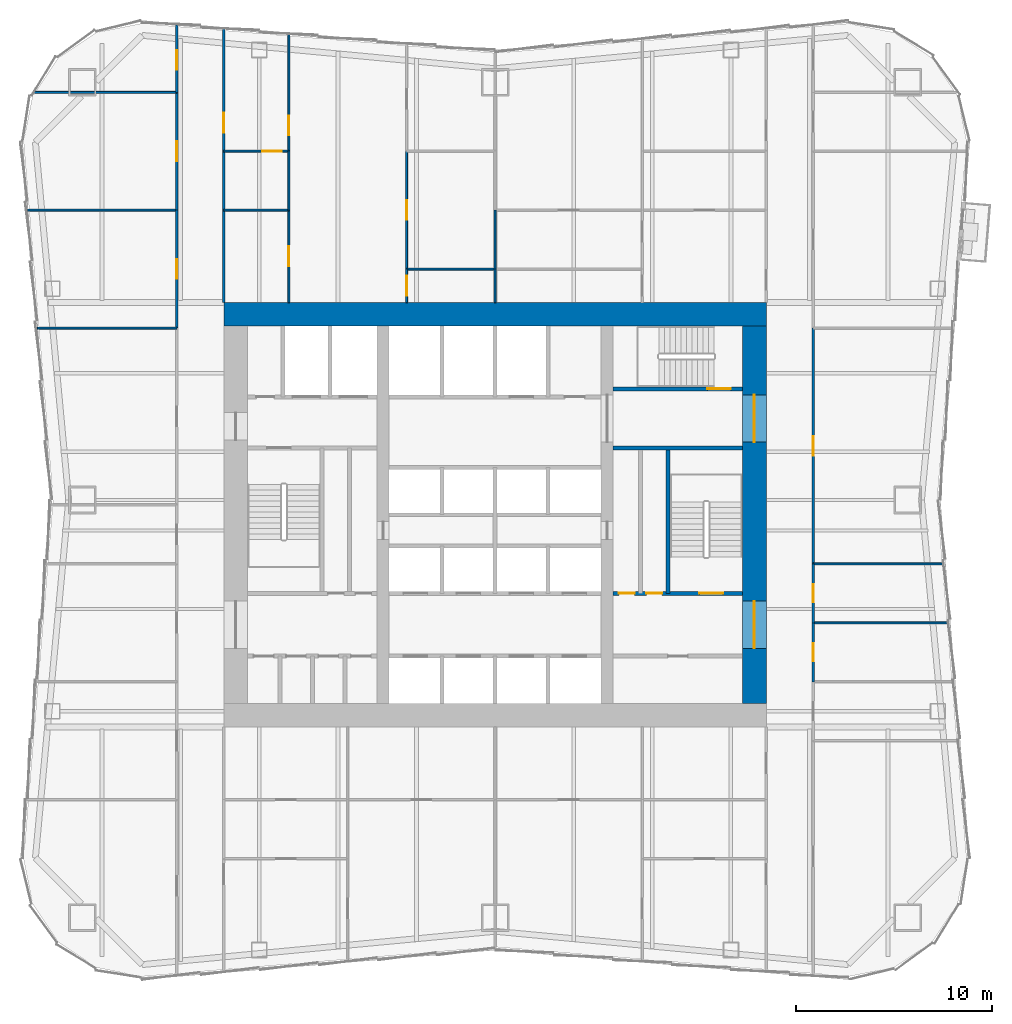
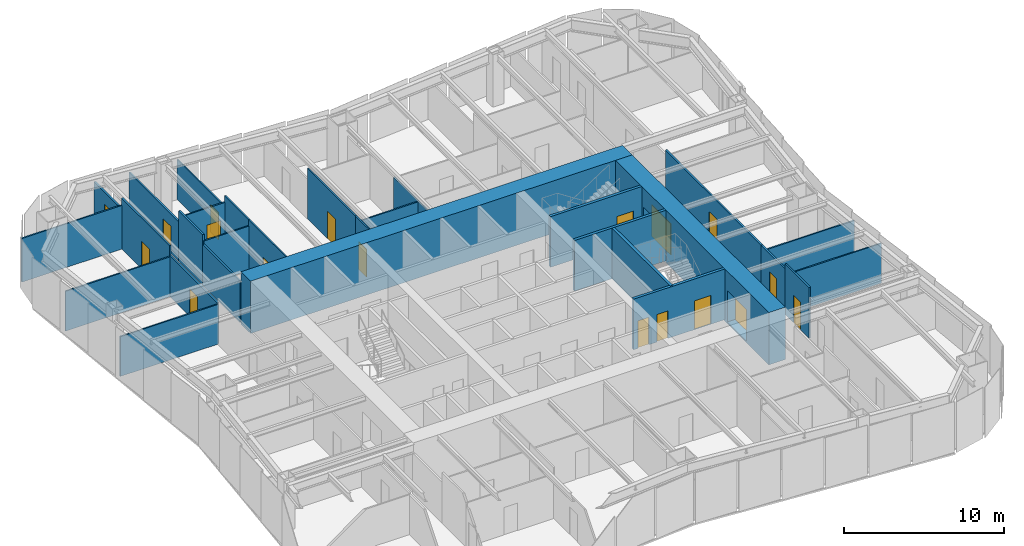
# One storey, part 6 of 9: 30 walls, 18 doors, 18 openings.
"""IFC4 building model written with IfcOpenShell, lengths in metres."""

import ifcopenshell
import ifcopenshell.guid

model = None  # the IFC model being written
_history = None  # IfcOwnerHistory: only IFC2X3 demands one
_inside = {}  # id of a spatial element -> (the spatial element, [elements in it])
_under = {}  # id of a project, library or spatial element -> (it, [spatial elements below it])
_declared = {}  # id of a project -> (the project, [libraries it declares])
_typed = {}  # id of a type object -> (the type object, [elements of that type])
_made_of = {}  # id of a material, layer set ... -> (it, [elements and type objects made of it])


def new_model(schema):
    """Start an empty IFC model of exactly this schema.

    Asked for "IFC4X3", IfcOpenShell would pick the latest addendum, in which some entities
    have other attributes; the version numbers below select the first issue.
    IFC2X3 requires an IfcOwnerHistory on every rooted entity: one is made here for all.
    """
    global model, _history
    if schema == "IFC4X3":
        model = ifcopenshell.file(schema_version=(4, 3, 0, 0))
    else:
        model = ifcopenshell.file(schema=schema)
    _inside.clear()
    _under.clear()
    _declared.clear()
    _typed.clear()
    _made_of.clear()
    _history = None
    if model.schema == "IFC2X3":
        org = make("IfcOrganization", Name="unknown")
        user = make(
            "IfcPersonAndOrganization",
            ThePerson=make("IfcPerson", FamilyName="unknown"),
            TheOrganization=org,
        )
        app = make(
            "IfcApplication",
            ApplicationDeveloper=org,
            Version="unknown",
            ApplicationFullName="unknown",
            ApplicationIdentifier="unknown",
        )
        _history = make(
            "IfcOwnerHistory",
            OwningUser=user,
            OwningApplication=app,
            ChangeAction="ADDED",
            CreationDate=0,
        )
    return model


def make(cls, **values):
    """One entity of the class cls with the attributes given. An attribute that is None is left unset."""
    return model.create_entity(
        cls, **{name: value for name, value in values.items() if value is not None}
    )


def rooted(cls, **values):
    """An entity with a GlobalId (a new one), such as an element, a storey or a relation."""
    return make(cls, GlobalId=ifcopenshell.guid.new(), OwnerHistory=_history, **values)


def si_unit(unit_type, name, prefix=None):
    """IfcSIUnit, for example si_unit("LENGTHUNIT", "METRE", prefix="MILLI")."""
    return make("IfcSIUnit", UnitType=unit_type, Prefix=prefix, Name=name)


def assignment(units):
    """IfcUnitAssignment: the units of a project."""
    return None if units is None else make("IfcUnitAssignment", Units=units)


def point(xyz):
    """IfcCartesianPoint."""
    return None if xyz is None else make("IfcCartesianPoint", Coordinates=xyz)


def direction(xyz):
    """IfcDirection."""
    return None if xyz is None else make("IfcDirection", DirectionRatios=xyz)


def frame(location, z_axis=None, x_axis=None):
    """IfcAxis2Placement3D, a coordinate frame: its origin and axes. An axis left out is left unset."""
    return make(
        "IfcAxis2Placement3D",
        Location=point(location),
        Axis=direction(z_axis),
        RefDirection=direction(x_axis),
    )


def frame_2d(location, x_axis=None):
    """IfcAxis2Placement2D, a coordinate frame in the plane: its origin and x axis."""
    return make(
        "IfcAxis2Placement2D", Location=point(location), RefDirection=direction(x_axis)
    )


def origin():
    """The frame at (0, 0, 0) with its axes left unset."""
    return frame((0.0, 0.0, 0.0))


def place(relative_to, where):
    """IfcLocalPlacement: puts the frame where relative to a parent placement (None: the world)."""
    return make(
        "IfcLocalPlacement", PlacementRelTo=relative_to, RelativePlacement=where
    )


def context(
    kind, dimensions, precision=None, world=None, true_north=None, identifier=None
):
    """IfcGeometricRepresentationContext, for example the 3D "Model" context."""
    return make(
        "IfcGeometricRepresentationContext",
        ContextIdentifier=identifier,
        ContextType=kind,
        CoordinateSpaceDimension=dimensions,
        Precision=precision,
        WorldCoordinateSystem=world,
        TrueNorth=true_north,
    )


def subcontext(parent, identifier, kind, view, scale=None):
    """IfcGeometricRepresentationSubContext, for example "Body" below "Model"."""
    return make(
        "IfcGeometricRepresentationSubContext",
        ContextIdentifier=identifier,
        ContextType=kind,
        ParentContext=parent,
        TargetScale=scale,
        TargetView=view,
    )


def project(units=None, contexts=None):
    """IfcProject with its units and contexts."""
    return rooted(
        "IfcProject",
        Name="project",
        RepresentationContexts=contexts,
        UnitsInContext=assignment(units),
    )


def spatial(cls, under=None, at=None, **own):
    """A site, building, storey or space (cls), placed at a placement, below another one or the project."""
    s = rooted(cls, ObjectPlacement=at, **own)
    if under is not None:
        _under.setdefault(under.id(), (under, []))[1].append(s)
    return s


def profile(cls, at=None, kind="AREA", **sizes):
    """A parametric profile (cls). Its sizes go by their IFC names, for example OverallWidth=200.0."""
    return make(cls, ProfileType=kind, Position=at, **sizes)


def rectangle(**sizes):
    """IfcRectangleProfileDef."""
    return profile("IfcRectangleProfileDef", **sizes)


def extrude(swept, where, along, depth):
    """IfcExtrudedAreaSolid: the profile swept, set in the frame where, extruded along a direction by depth."""
    return make(
        "IfcExtrudedAreaSolid",
        SweptArea=swept,
        Position=where,
        ExtrudedDirection=direction(along),
        Depth=depth,
    )


def shape(context_of_items, identifier, shape_type, items):
    """IfcShapeRepresentation: the items that make up one representation, for example the "Body"."""
    return make(
        "IfcShapeRepresentation",
        ContextOfItems=context_of_items,
        RepresentationIdentifier=identifier,
        RepresentationType=shape_type,
        Items=items,
    )


def material(Name=None, Category=None):
    """IfcMaterial."""
    return make("IfcMaterial", Name=Name, Category=Category)


def layer(
    of_material, thickness, ventilated=None, Name=None, Category=None, Priority=None
):
    """IfcMaterialLayer: one layer of a wall or slab, of a material (None: an air gap)."""
    return make(
        "IfcMaterialLayer",
        Material=of_material,
        LayerThickness=thickness,
        IsVentilated=ventilated,
        Name=Name,
        Category=Category,
        Priority=Priority,
    )


def layer_set(layers, Name=None):
    """IfcMaterialLayerSet."""
    return make("IfcMaterialLayerSet", MaterialLayers=layers, LayerSetName=Name)


def made_of(thing, what):
    """Note that an element or type object is made of a material, layer set ...; save() writes the relation."""
    if what is not None:
        _made_of.setdefault(what.id(), (what, []))[1].append(thing)
    return thing


def type_object(cls, material=None, **own):
    """A type object (cls), such as IfcWallType, which elements share."""
    return made_of(rooted(cls, **own), material)


def element(
    cls,
    number,
    at=None,
    inside=None,
    cuts=None,
    type_object=None,
    material=None,
    context=None,
    identifier="Body",
    shape_type=None,
    held_by="IfcProductDefinitionShape",
    body=None,
    shapes=None,
    **own,
):
    """One element of the class cls, such as IfcWall. Its Tag is "e" and its number.

    at: its placement. inside: the storey or other place that contains it. cuts: it is an
    opening in that element (IfcRelVoidsElement). A single representation is given by context,
    identifier, shape_type and body (its items); several are given by shapes. held_by: the class
    of the entity that holds the representations. save() writes the other relations.
    """
    e = rooted(cls, Tag="e%d" % number, ObjectPlacement=at, **own)
    if body is not None:
        shapes = [shape(context, identifier, shape_type, body)]
    if shapes is not None:
        e.Representation = make(held_by, Representations=shapes)
    if inside is not None:
        _inside.setdefault(inside.id(), (inside, []))[1].append(e)
    if cuts is not None:
        rooted(
            "IfcRelVoidsElement", RelatingBuildingElement=cuts, RelatedOpeningElement=e
        )
    if type_object is not None:
        _typed.setdefault(type_object.id(), (type_object, []))[1].append(e)
    return made_of(e, material)


def fill(opening, filler):
    """IfcRelFillsElement: the door or window that sits in an opening."""
    return rooted(
        "IfcRelFillsElement",
        RelatingOpeningElement=opening,
        RelatedBuildingElement=filler,
    )


def aggregate(whole, parts):
    """IfcRelAggregates: a whole, such as a stair, and the parts it consists of."""
    return rooted("IfcRelAggregates", RelatingObject=whole, RelatedObjects=parts)


def save(model, path):
    """Write the relations noted so far, then the file.

    IfcRelAggregates (storeys below a building ...), IfcRelContainedInSpatialStructure (elements
    in a storey), IfcRelDefinesByType, IfcRelAssociatesMaterial and IfcRelDeclares: one each for
    every whole, place, type object, material and project.
    """
    for whole, parts in _under.values():
        aggregate(whole, parts)
    for where, things in _inside.values():
        rooted(
            "IfcRelContainedInSpatialStructure",
            RelatedElements=things,
            RelatingStructure=where,
        )
    for kind, things in _typed.values():
        rooted("IfcRelDefinesByType", RelatedObjects=things, RelatingType=kind)
    for what, things in _made_of.values():
        rooted("IfcRelAssociatesMaterial", RelatedObjects=things, RelatingMaterial=what)
    for by, libraries in _declared.values():
        rooted("IfcRelDeclares", RelatingContext=by, RelatedDefinitions=libraries)
    model.write(path)


model = new_model("IFC4")

# Units and contexts
model_context = context("Model", 3, precision=1e-05, world=origin(), true_north=direction((0.0, 1.0)))
body_context = subcontext(model_context, "Body", "Model", "MODEL_VIEW")
ifc_project = project(units=[si_unit("LENGTHUNIT", "METRE"), si_unit("AREAUNIT", "SQUARE_METRE"), si_unit("VOLUMEUNIT", "CUBIC_METRE"), si_unit("PLANEANGLEUNIT", "RADIAN"), si_unit("MASSUNIT", "GRAM", prefix="KILO")], contexts=[model_context])

# Site, building, storey
site_placement = place(None, origin())
site = spatial("IfcSite", under=ifc_project, at=site_placement, CompositionType="ELEMENT")
building_placement = place(site_placement, origin())
building = spatial("IfcBuilding", under=site, at=building_placement, Name="Verdant Reach Tower", CompositionType="ELEMENT")
storey_placement = place(building_placement, frame((0.0, 0.0, 74.0)))
storey = spatial("IfcBuildingStorey", under=building, at=storey_placement, Name="L16", CompositionType="ELEMENT", Elevation=74.0)

# Wall, openings, doors
ifc_material_1 = material(Name="Concrete C40/50", Category="concrete")
ifc_layer_1 = layer(ifc_material_1, 0.199951171875)
ifc_layer_set_1 = layer_set([ifc_layer_1], Name="CO-WALL-STAIR")
wall_type_1 = type_object("IfcWallType", Name="CO-WALL-STAIR", PredefinedType="PARTITIONING", material=ifc_layer_set_1)
wall_1_placement = place(storey_placement, frame((6.0, 24.0, 0.0), z_axis=(0.0, 0.0, 1.0), x_axis=(1.0, 0.0, 0.0)))
wall_1 = element("IfcWall", 1, at=wall_1_placement, inside=storey, type_object=wall_type_1, Name="Stair enclosure wall, L16", PredefinedType="PARTITIONING", context=body_context, shape_type="SweptSolid", body=[
    extrude(rectangle(XDim=6.60009765625, YDim=0.199951171875, at=frame_2d((3.300048828125, 0.0))), origin(), (0.0, 0.0, 1.0), 3.8701171875),
])
opening_1_placement = place(wall_1_placement, frame((0.300048828125, 0.0, 0.0)))
opening_1 = element("IfcOpeningElement", 2, at=opening_1_placement, cuts=wall_1, Name="Opening CDN", PredefinedType="OPENING", context=body_context, shape_type="SweptSolid", body=[
    extrude(rectangle(XDim=0.800048828125, YDim=2.10009765625, at=frame_2d((0.39990234375, 1.050048828125))), frame((0.0, 0.10986328125, 0.0), z_axis=(0.0, -1.0, 0.0), x_axis=(1.0, 0.0, 0.0)), (0.0, 0.0, 1.0), 0.219970703125),
])
opening_2_placement = place(wall_1_placement, frame((1.699951171875, 0.0, 0.0)))
opening_2 = element("IfcOpeningElement", 3, at=opening_2_placement, cuts=wall_1, Name="Opening CDN", PredefinedType="OPENING", context=body_context, shape_type="SweptSolid", body=[
    extrude(rectangle(XDim=0.800048828125, YDim=2.10009765625, at=frame_2d((0.39990234375, 1.050048828125))), frame((0.0, 0.10986328125, 0.0), z_axis=(0.0, -1.0, 0.0), x_axis=(1.0, 0.0, 0.0)), (0.0, 0.0, 1.0), 0.219970703125),
])
opening_3_placement = place(wall_1_placement, frame((4.39990234375, 0.0, 0.0)))
opening_3 = element("IfcOpeningElement", 4, at=opening_3_placement, cuts=wall_1, Name="Opening SD", PredefinedType="OPENING", context=body_context, shape_type="SweptSolid", body=[
    extrude(rectangle(XDim=1.199951171875, YDim=2.199951171875, at=frame_2d((0.60009765625, 1.10009765625))), frame((0.0, 0.10986328125, 0.0), z_axis=(0.0, -1.0, 0.0), x_axis=(1.0, 0.0, 0.0)), (0.0, 0.0, 1.0), 0.219970703125),
])
ifc_material_2 = material(Name="Timber", Category="wood")
door_type_1 = type_object("IfcDoorType", Name="CO-DOOR-ROOM-NARROW", OperationType="NOTDEFINED", PredefinedType="DOOR", material=ifc_material_2)
door_1_placement = place(opening_1_placement, origin())
door_1 = element("IfcDoor", 5, at=door_1_placement, inside=storey, type_object=door_type_1, Name="Core room door, L16", OperationType="SINGLE_SWING_RIGHT", OverallHeight=2.10009765625, OverallWidth=0.800048828125, PredefinedType="DOOR", context=body_context, shape_type="SweptSolid", body=[
    extrude(rectangle(XDim=0.800048828125, YDim=2.10009765625, at=frame_2d((0.39990234375, 1.050048828125))), frame((0.0, 0.02490234375, 0.0), z_axis=(0.0, -1.0, 0.0), x_axis=(1.0, 0.0, 0.0)), (0.0, 0.0, 1.0), 0.050048828125),
])
fill(opening_1, door_1)
door_2_placement = place(opening_2_placement, origin())
door_2 = element("IfcDoor", 6, at=door_2_placement, inside=storey, type_object=door_type_1, Name="Core room door, L16", OperationType="SINGLE_SWING_LEFT", OverallHeight=2.10009765625, OverallWidth=0.800048828125, PredefinedType="DOOR", context=body_context, shape_type="SweptSolid", body=[
    extrude(rectangle(XDim=0.800048828125, YDim=2.10009765625, at=frame_2d((0.39990234375, 1.050048828125))), frame((0.0, 0.02490234375, 0.0), z_axis=(0.0, -1.0, 0.0), x_axis=(1.0, 0.0, 0.0)), (0.0, 0.0, 1.0), 0.050048828125),
])
fill(opening_2, door_2)
ifc_material_3 = material(Name="Steel", Category="steel")
door_type_2 = type_object("IfcDoorType", Name="CO-DOOR-STAIR", OperationType="NOTDEFINED", PredefinedType="DOOR", material=ifc_material_3)
door_3_placement = place(opening_3_placement, origin())
door_3 = element("IfcDoor", 7, at=door_3_placement, inside=storey, type_object=door_type_2, Name="Stair door, L16", OperationType="SINGLE_SWING_LEFT", OverallHeight=2.199951171875, OverallWidth=1.199951171875, PredefinedType="DOOR", context=body_context, shape_type="SweptSolid", body=[
    extrude(rectangle(XDim=1.199951171875, YDim=2.199951171875, at=frame_2d((0.60009765625, 1.10009765625))), frame((0.0, 0.02490234375, 0.0), z_axis=(0.0, -1.0, 0.0), x_axis=(1.0, 0.0, 0.0)), (0.0, 0.0, 1.0), 0.050048828125),
])
fill(opening_3, door_3)

# Wall
wall_2_placement = place(storey_placement, frame((6.0, 31.39990234375, 0.0), z_axis=(0.0, 0.0, 1.0), x_axis=(1.0, 0.0, 0.0)))
element("IfcWall", 8, at=wall_2_placement, inside=storey, type_object=wall_type_1, Name="Stair enclosure wall, L16", PredefinedType="PARTITIONING", context=body_context, shape_type="SweptSolid", body=[
    extrude(rectangle(XDim=6.60009765625, YDim=0.199951171875, at=frame_2d((3.300048828125, 0.0))), origin(), (0.0, 0.0, 1.0), 3.8701171875),
])

# Wall, opening, door
wall_3_placement = place(storey_placement, frame((6.0, 34.39990234375, 0.0), z_axis=(0.0, 0.0, 1.0), x_axis=(1.0, 0.0, 0.0)))
wall_3 = element("IfcWall", 9, at=wall_3_placement, inside=storey, type_object=wall_type_1, Name="Stair enclosure wall, L16", PredefinedType="PARTITIONING", context=body_context, shape_type="SweptSolid", body=[
    extrude(rectangle(XDim=6.60009765625, YDim=0.199951171875, at=frame_2d((3.300048828125, 0.0))), origin(), (0.0, 0.0, 1.0), 3.8701171875),
])
opening_4_placement = place(wall_3_placement, frame((4.800048828125, 0.0, 0.0)))
opening_4 = element("IfcOpeningElement", 10, at=opening_4_placement, cuts=wall_3, Name="Opening SD", PredefinedType="OPENING", context=body_context, shape_type="SweptSolid", body=[
    extrude(rectangle(XDim=1.199951171875, YDim=2.199951171875, at=frame_2d((0.60009765625, 1.10009765625))), frame((0.0, 0.10986328125, 0.0), z_axis=(0.0, -1.0, 0.0), x_axis=(1.0, 0.0, 0.0)), (0.0, 0.0, 1.0), 0.219970703125),
])
door_4_placement = place(opening_4_placement, origin())
door_4 = element("IfcDoor", 11, at=door_4_placement, inside=storey, type_object=door_type_2, Name="Stair door, L16", OperationType="SINGLE_SWING_RIGHT", OverallHeight=2.199951171875, OverallWidth=1.199951171875, PredefinedType="DOOR", context=body_context, shape_type="SweptSolid", body=[
    extrude(rectangle(XDim=1.199951171875, YDim=2.199951171875, at=frame_2d((0.60009765625, 1.10009765625))), frame((0.0, 0.02490234375, 0.0), z_axis=(0.0, -1.0, 0.0), x_axis=(1.0, 0.0, 0.0)), (0.0, 0.0, 1.0), 0.050048828125),
])
fill(opening_4, door_4)

# Walls
wall_4_placement = place(storey_placement, frame((8.800048828125, 24.0, 0.0), z_axis=(0.0, 0.0, 1.0), x_axis=(0.0, 1.0, 0.0)))
element("IfcWall", 12, at=wall_4_placement, inside=storey, type_object=wall_type_1, Name="Stair enclosure wall, L16", PredefinedType="PARTITIONING", context=body_context, shape_type="SweptSolid", body=[
    extrude(rectangle(XDim=7.39990234375, YDim=0.199951171875, at=frame_2d((3.699951171875, 0.0))), origin(), (0.0, 0.0, 1.0), 3.8701171875),
])
ifc_material_4 = material(Name="Gypsum board on steel studs", Category="steel")
ifc_layer_2 = layer(ifc_material_4, 0.10009765625)
ifc_layer_set_2 = layer_set([ifc_layer_2], Name="FL-W1 Partition 100")
wall_type_2 = type_object("IfcWallType", Name="FL-W1 Partition 100", PredefinedType="PARTITIONING", material=ifc_layer_set_2)
wall_5_placement = place(storey_placement, frame((-16.199951171875, 37.5, 0.0), z_axis=(0.0, 0.0, 1.0), x_axis=(-1.0, 0.0, 0.0)))
element("IfcWall", 13, at=wall_5_placement, inside=storey, type_object=wall_type_2, Name="Partition 16.33", PredefinedType="PARTITIONING", context=body_context, shape_type="SweptSolid", body=[
    extrude(rectangle(XDim=7.099365234375, YDim=0.10009765625, at=frame_2d((3.5498046875, 0.0))), origin(), (0.0, 0.0, 1.0), 3.0400390625),
])
wall_6_placement = place(storey_placement, frame((-16.199951171875, 43.5, 0.0), z_axis=(0.0, 0.0, 1.0), x_axis=(-1.0, 0.0, 0.0)))
element("IfcWall", 14, at=wall_6_placement, inside=storey, type_object=wall_type_2, Name="Partition 16.34", PredefinedType="PARTITIONING", context=body_context, shape_type="SweptSolid", body=[
    extrude(rectangle(XDim=7.59228515625, YDim=0.10009765625, at=frame_2d((3.796142578125, 0.0))), origin(), (0.0, 0.0, 1.0), 3.0400390625),
])
wall_7_placement = place(storey_placement, frame((-16.199951171875, 49.5, 0.0), z_axis=(0.0, 0.0, 1.0), x_axis=(-1.0, 0.0, 0.0)))
element("IfcWall", 15, at=wall_7_placement, inside=storey, type_object=wall_type_2, Name="Partition 16.35", PredefinedType="PARTITIONING", context=body_context, shape_type="SweptSolid", body=[
    extrude(rectangle(XDim=7.287109375, YDim=0.10009765625, at=frame_2d((3.6435546875, 0.0))), origin(), (0.0, 0.0, 1.0), 3.340087890625),
])
wall_8_placement = place(storey_placement, frame((23.09375, 22.5, 0.0), z_axis=(0.0, 0.0, 1.0), x_axis=(-1.0, 0.0, 0.0)))
element("IfcWall", 16, at=wall_8_placement, inside=storey, type_object=wall_type_2, Name="Partition 16.38", PredefinedType="PARTITIONING", context=body_context, shape_type="SweptSolid", body=[
    extrude(rectangle(XDim=6.893798828125, YDim=0.10009765625, at=frame_2d((3.44677734375, 0.0))), origin(), (0.0, 0.0, 1.0), 3.0400390625),
])
wall_9_placement = place(storey_placement, frame((22.84716796875, 25.5, 0.0), z_axis=(0.0, 0.0, 1.0), x_axis=(-1.0, 0.0, 0.0)))
element("IfcWall", 17, at=wall_9_placement, inside=storey, type_object=wall_type_2, Name="Partition 16.39", PredefinedType="PARTITIONING", context=body_context, shape_type="SweptSolid", body=[
    extrude(rectangle(XDim=6.647216796875, YDim=0.10009765625, at=frame_2d((3.32373046875, 0.0))), origin(), (0.0, 0.0, 1.0), 3.0400390625),
])
wall_10_placement = place(storey_placement, frame((-10.5, 43.5, 0.0), z_axis=(0.0, 0.0, 1.0), x_axis=(-1.0, 0.0, 0.0)))
element("IfcWall", 18, at=wall_10_placement, inside=storey, type_object=wall_type_2, Name="Partition 16.57", PredefinedType="PARTITIONING", context=body_context, shape_type="SweptSolid", body=[
    extrude(rectangle(XDim=3.300048828125, YDim=0.10009765625, at=frame_2d((1.64990234375, 0.0))), origin(), (0.0, 0.0, 1.0), 3.389892578125),
])

# Wall, opening, door
wall_11_placement = place(storey_placement, frame((-10.5, 38.800048828125, 0.0), z_axis=(0.0, 0.0, 1.0), x_axis=(0.0, 1.0, 0.0)))
wall_11 = element("IfcWall", 19, at=wall_11_placement, inside=storey, type_object=wall_type_2, Name="Partition 16.58", PredefinedType="PARTITIONING", context=body_context, shape_type="SweptSolid", body=[
    extrude(rectangle(XDim=4.703857421875, YDim=0.10009765625, at=frame_2d((2.35205078125, 0.0))), origin(), (0.0, 0.0, 1.0), 3.8701171875),
])
opening_5_placement = place(wall_11_placement, frame((1.85205078125, 0.0, 0.0)))
opening_5 = element("IfcOpeningElement", 20, at=opening_5_placement, cuts=wall_11, Name="Opening D3", PredefinedType="OPENING", context=body_context, shape_type="SweptSolid", body=[
    extrude(rectangle(XDim=1.0, YDim=2.10009765625, at=frame_2d((0.5, 1.050048828125))), frame((0.0, 0.06005859375, 0.0), z_axis=(0.0, -1.0, 0.0), x_axis=(1.0, 0.0, 0.0)), (0.0, 0.0, 1.0), 0.1201171875),
])
ifc_material_5 = material(Name="Painted timber door leaf", Category="wood")
door_type_3 = type_object("IfcDoorType", Name="FL-D3 Door 1000x2100", OperationType="NOTDEFINED", PredefinedType="DOOR", material=ifc_material_5)
door_5_placement = place(opening_5_placement, origin())
door_5 = element("IfcDoor", 21, at=door_5_placement, inside=storey, type_object=door_type_3, Name="Door 16-030", OperationType="SINGLE_SWING_RIGHT", OverallHeight=2.10009765625, OverallWidth=1.0, PredefinedType="DOOR", context=body_context, shape_type="SweptSolid", body=[
    extrude(rectangle(XDim=1.0, YDim=2.10009765625, at=frame_2d((0.5, 1.050048828125))), frame((0.0, 0.02490234375, 0.0), z_axis=(0.0, -1.0, 0.0), x_axis=(1.0, 0.0, 0.0)), (0.0, 0.0, 1.0), 0.050048828125),
])
fill(opening_5, door_5)

wall_12_placement = place(storey_placement, frame((-10.5, 46.5, 0.0), z_axis=(0.0, 0.0, 1.0), x_axis=(-1.0, 0.0, 0.0)))
wall_12 = element("IfcWall", 22, at=wall_12_placement, inside=storey, type_object=wall_type_2, Name="Partition 16.59", PredefinedType="PARTITIONING", context=body_context, shape_type="SweptSolid", body=[
    extrude(rectangle(XDim=3.300048828125, YDim=0.10009765625, at=frame_2d((1.64990234375, 0.0))), origin(), (0.0, 0.0, 1.0), 3.389892578125),
])
opening_6_placement = place(wall_12_placement, frame((0.35009765625, 0.0, 0.0)))
opening_6 = element("IfcOpeningElement", 23, at=opening_6_placement, cuts=wall_12, Name="Opening D3", PredefinedType="OPENING", context=body_context, shape_type="SweptSolid", body=[
    extrude(rectangle(XDim=1.0, YDim=2.10009765625, at=frame_2d((0.5, 1.050048828125))), frame((0.0, 0.06005859375, 0.0), z_axis=(0.0, -1.0, 0.0), x_axis=(1.0, 0.0, 0.0)), (0.0, 0.0, 1.0), 0.1201171875),
])
door_6_placement = place(opening_6_placement, origin())
door_6 = element("IfcDoor", 24, at=door_6_placement, inside=storey, type_object=door_type_3, Name="Door 16-031", OperationType="SINGLE_SWING_LEFT", OverallHeight=2.10009765625, OverallWidth=1.0, PredefinedType="DOOR", context=body_context, shape_type="SweptSolid", body=[
    extrude(rectangle(XDim=1.0, YDim=2.10009765625, at=frame_2d((0.5, 1.050048828125))), frame((0.0, 0.02490234375, 0.0), z_axis=(0.0, -1.0, 0.0), x_axis=(1.0, 0.0, 0.0)), (0.0, 0.0, 1.0), 0.050048828125),
])
fill(opening_6, door_6)

# Wall
wall_13_placement = place(storey_placement, frame((-10.5, 43.49609375, 0.0), z_axis=(0.0, 0.0, 1.0), x_axis=(0.0, 1.0, 0.0)))
element("IfcWall", 25, at=wall_13_placement, inside=storey, type_object=wall_type_2, Name="Partition 16.60", PredefinedType="PARTITIONING", context=body_context, shape_type="SweptSolid", body=[
    extrude(rectangle(XDim=3.0078125, YDim=0.10009765625, at=frame_2d((1.50390625, 0.0))), origin(), (0.0, 0.0, 1.0), 3.8701171875),
])

# Wall, opening, door
wall_14_placement = place(storey_placement, frame((-10.5, 52.455078125, 0.0), z_axis=(0.0, 0.0, 1.0), x_axis=(0.0, -1.0, 0.0)))
wall_14 = element("IfcWall", 26, at=wall_14_placement, inside=storey, type_object=wall_type_2, Name="Partition 16.61", PredefinedType="PARTITIONING", context=body_context, shape_type="SweptSolid", body=[
    extrude(rectangle(XDim=5.958984375, YDim=0.10009765625, at=frame_2d((2.9794921875, 0.0))), origin(), (0.0, 0.0, 1.0), 3.0400390625),
])
opening_7_placement = place(wall_14_placement, frame((4.14453125, 0.0, 0.0)))
opening_7 = element("IfcOpeningElement", 27, at=opening_7_placement, cuts=wall_14, Name="Opening D3", PredefinedType="OPENING", context=body_context, shape_type="SweptSolid", body=[
    extrude(rectangle(XDim=1.0, YDim=2.10009765625, at=frame_2d((0.5, 1.050048828125))), frame((0.0, 0.06005859375, 0.0), z_axis=(0.0, -1.0, 0.0), x_axis=(1.0, 0.0, 0.0)), (0.0, 0.0, 1.0), 0.1201171875),
])
door_7_placement = place(opening_7_placement, origin())
door_7 = element("IfcDoor", 28, at=door_7_placement, inside=storey, type_object=door_type_3, Name="Door 16-032", OperationType="SINGLE_SWING_RIGHT", OverallHeight=2.10009765625, OverallWidth=1.0, PredefinedType="DOOR", context=body_context, shape_type="SweptSolid", body=[
    extrude(rectangle(XDim=1.0, YDim=2.10009765625, at=frame_2d((0.5, 1.050048828125))), frame((0.0, 0.02490234375, 0.0), z_axis=(0.0, -1.0, 0.0), x_axis=(1.0, 0.0, 0.0)), (0.0, 0.0, 1.0), 0.050048828125),
])
fill(opening_7, door_7)

wall_15_placement = place(storey_placement, frame((-4.5, 40.5, 0.0), z_axis=(0.0, 0.0, 1.0), x_axis=(0.0, -1.0, 0.0)))
wall_15 = element("IfcWall", 29, at=wall_15_placement, inside=storey, type_object=wall_type_2, Name="Partition 16.62", PredefinedType="PARTITIONING", context=body_context, shape_type="SweptSolid", body=[
    extrude(rectangle(XDim=1.699951171875, YDim=0.10009765625, at=frame_2d((0.85009765625, 0.0))), origin(), (0.0, 0.0, 1.0), 3.8701171875),
])
opening_8_placement = place(wall_15_placement, frame((0.35009765625, 0.0, 0.0)))
opening_8 = element("IfcOpeningElement", 30, at=opening_8_placement, cuts=wall_15, Name="Opening D3", PredefinedType="OPENING", context=body_context, shape_type="SweptSolid", body=[
    extrude(rectangle(XDim=1.0, YDim=2.10009765625, at=frame_2d((0.5, 1.050048828125))), frame((0.0, 0.06005859375, 0.0), z_axis=(0.0, -1.0, 0.0), x_axis=(1.0, 0.0, 0.0)), (0.0, 0.0, 1.0), 0.1201171875),
])
door_8_placement = place(opening_8_placement, origin())
door_8 = element("IfcDoor", 31, at=door_8_placement, inside=storey, type_object=door_type_3, Name="Door 16-033", OperationType="SINGLE_SWING_LEFT", OverallHeight=2.10009765625, OverallWidth=1.0, PredefinedType="DOOR", context=body_context, shape_type="SweptSolid", body=[
    extrude(rectangle(XDim=1.0, YDim=2.10009765625, at=frame_2d((0.5, 1.050048828125))), frame((0.0, 0.02490234375, 0.0), z_axis=(0.0, -1.0, 0.0), x_axis=(1.0, 0.0, 0.0)), (0.0, 0.0, 1.0), 0.050048828125),
])
fill(opening_8, door_8)

wall_16_placement = place(storey_placement, frame((-4.5, 46.5, 0.0), z_axis=(0.0, 0.0, 1.0), x_axis=(0.0, -1.0, 0.0)))
wall_16 = element("IfcWall", 32, at=wall_16_placement, inside=storey, type_object=wall_type_2, Name="Partition 16.63", PredefinedType="PARTITIONING", context=body_context, shape_type="SweptSolid", body=[
    extrude(rectangle(XDim=6.0, YDim=0.10009765625, at=frame_2d((3.0, 0.0))), origin(), (0.0, 0.0, 1.0), 3.8701171875),
])
opening_9_placement = place(wall_16_placement, frame((2.5, 0.0, 0.0)))
opening_9 = element("IfcOpeningElement", 33, at=opening_9_placement, cuts=wall_16, Name="Opening D3", PredefinedType="OPENING", context=body_context, shape_type="SweptSolid", body=[
    extrude(rectangle(XDim=1.0, YDim=2.10009765625, at=frame_2d((0.5, 1.050048828125))), frame((0.0, 0.06005859375, 0.0), z_axis=(0.0, -1.0, 0.0), x_axis=(1.0, 0.0, 0.0)), (0.0, 0.0, 1.0), 0.1201171875),
])
door_9_placement = place(opening_9_placement, origin())
door_9 = element("IfcDoor", 34, at=door_9_placement, inside=storey, type_object=door_type_3, Name="Door 16-034", OperationType="SINGLE_SWING_RIGHT", OverallHeight=2.10009765625, OverallWidth=1.0, PredefinedType="DOOR", context=body_context, shape_type="SweptSolid", body=[
    extrude(rectangle(XDim=1.0, YDim=2.10009765625, at=frame_2d((0.5, 1.050048828125))), frame((0.0, 0.02490234375, 0.0), z_axis=(0.0, -1.0, 0.0), x_axis=(1.0, 0.0, 0.0)), (0.0, 0.0, 1.0), 0.050048828125),
])
fill(opening_9, door_9)

# Walls
wall_17_placement = place(storey_placement, frame((0.0, 40.5, 0.0), z_axis=(0.0, 0.0, 1.0), x_axis=(-1.0, 0.0, 0.0)))
element("IfcWall", 35, at=wall_17_placement, inside=storey, type_object=wall_type_2, Name="Partition 16.65", PredefinedType="PARTITIONING", context=body_context, shape_type="SweptSolid", body=[
    extrude(rectangle(XDim=4.5, YDim=0.10009765625, at=frame_2d((2.25, 0.0))), origin(), (0.0, 0.0, 1.0), 3.389892578125),
])
wall_18_placement = place(storey_placement, frame((0.0, 38.800048828125, 0.0), z_axis=(0.0, 0.0, 1.0), x_axis=(0.0, 1.0, 0.0)))
element("IfcWall", 36, at=wall_18_placement, inside=storey, type_object=wall_type_2, Name="Partition 16.66", PredefinedType="PARTITIONING", context=body_context, shape_type="SweptSolid", body=[
    extrude(rectangle(XDim=1.699951171875, YDim=0.10009765625, at=frame_2d((0.85009765625, 0.0))), origin(), (0.0, 0.0, 1.0), 3.43994140625),
])
wall_19_placement = place(storey_placement, frame((0.0, 40.5, 0.0), z_axis=(0.0, 0.0, 1.0), x_axis=(0.0, 1.0, 0.0)))
element("IfcWall", 37, at=wall_19_placement, inside=storey, type_object=wall_type_2, Name="Partition 16.68", PredefinedType="PARTITIONING", context=body_context, shape_type="SweptSolid", body=[
    extrude(rectangle(XDim=3.0, YDim=0.10009765625, at=frame_2d((1.5, 0.0))), origin(), (0.0, 0.0, 1.0), 3.43994140625),
])

# Wall, opening, door
ifc_material_6 = material(Name="Gypsum board on steel studs, fire rated", Category="steel")
ifc_layer_3 = layer(ifc_material_6, 0.125)
ifc_layer_set_3 = layer_set([ifc_layer_3], Name="FL-W2 Corridor wall 125")
wall_type_3 = type_object("IfcWallType", Name="FL-W2 Corridor wall 125", PredefinedType="PARTITIONING", material=ifc_layer_set_3)
wall_20_placement = place(storey_placement, frame((-16.199951171875, 37.5, 0.0), z_axis=(0.0, 0.0, 1.0), x_axis=(0.0, 1.0, 0.0)))
wall_20 = element("IfcWall", 38, at=wall_20_placement, inside=storey, type_object=wall_type_3, Name="Partition 16.06", PredefinedType="PARTITIONING", context=body_context, shape_type="SweptSolid", body=[
    extrude(rectangle(XDim=6.0, YDim=0.125, at=frame_2d((3.0, 0.0))), origin(), (0.0, 0.0, 1.0), 3.139892578125),
])
opening_10_placement = place(wall_20_placement, frame((2.5, 0.0, 0.0)))
opening_10 = element("IfcOpeningElement", 39, at=opening_10_placement, cuts=wall_20, Name="Opening D2", PredefinedType="OPENING", context=body_context, shape_type="SweptSolid", body=[
    extrude(rectangle(XDim=1.0, YDim=2.10009765625, at=frame_2d((0.5, 1.050048828125))), frame((0.0, 0.072509765625, 0.0), z_axis=(0.0, -1.0, 0.0), x_axis=(1.0, 0.0, 0.0)), (0.0, 0.0, 1.0), 0.14501953125),
])
ifc_material_7 = material(Name="Timber door leaf, fire rated", Category="wood")
door_type_4 = type_object("IfcDoorType", Name="FL-D2 Entrance door 1000x2100 FD30", OperationType="NOTDEFINED", PredefinedType="DOOR", material=ifc_material_7)
door_10_placement = place(opening_10_placement, origin())
door_10 = element("IfcDoor", 40, at=door_10_placement, inside=storey, type_object=door_type_4, Name="Door 16-006", OperationType="SINGLE_SWING_RIGHT", OverallHeight=2.10009765625, OverallWidth=1.0, PredefinedType="DOOR", context=body_context, shape_type="SweptSolid", body=[
    extrude(rectangle(XDim=1.0, YDim=2.10009765625, at=frame_2d((0.5, 1.050048828125))), frame((0.0, 0.02490234375, 0.0), z_axis=(0.0, -1.0, 0.0), x_axis=(1.0, 0.0, 0.0)), (0.0, 0.0, 1.0), 0.050048828125),
])
fill(opening_10, door_10)

wall_21_placement = place(storey_placement, frame((-16.199951171875, 43.5, 0.0), z_axis=(0.0, 0.0, 1.0), x_axis=(0.0, 1.0, 0.0)))
wall_21 = element("IfcWall", 41, at=wall_21_placement, inside=storey, type_object=wall_type_3, Name="Partition 16.07", PredefinedType="PARTITIONING", context=body_context, shape_type="SweptSolid", body=[
    extrude(rectangle(XDim=6.0, YDim=0.125, at=frame_2d((3.0, 0.0))), origin(), (0.0, 0.0, 1.0), 3.8701171875),
])
opening_11_placement = place(wall_21_placement, frame((2.5, 0.0, 0.0)))
opening_11 = element("IfcOpeningElement", 42, at=opening_11_placement, cuts=wall_21, Name="Opening D2", PredefinedType="OPENING", context=body_context, shape_type="SweptSolid", body=[
    extrude(rectangle(XDim=1.0, YDim=2.10009765625, at=frame_2d((0.5, 1.050048828125))), frame((0.0, 0.072509765625, 0.0), z_axis=(0.0, -1.0, 0.0), x_axis=(1.0, 0.0, 0.0)), (0.0, 0.0, 1.0), 0.14501953125),
])
door_11_placement = place(opening_11_placement, origin())
door_11 = element("IfcDoor", 43, at=door_11_placement, inside=storey, type_object=door_type_4, Name="Door 16-007", OperationType="SINGLE_SWING_LEFT", OverallHeight=2.10009765625, OverallWidth=1.0, PredefinedType="DOOR", context=body_context, shape_type="SweptSolid", body=[
    extrude(rectangle(XDim=1.0, YDim=2.10009765625, at=frame_2d((0.5, 1.050048828125))), frame((0.0, 0.02490234375, 0.0), z_axis=(0.0, -1.0, 0.0), x_axis=(1.0, 0.0, 0.0)), (0.0, 0.0, 1.0), 0.050048828125),
])
fill(opening_11, door_11)

wall_22_placement = place(storey_placement, frame((-16.199951171875, 49.5, 0.0), z_axis=(0.0, 0.0, 1.0), x_axis=(0.0, 1.0, 0.0)))
wall_22 = element("IfcWall", 44, at=wall_22_placement, inside=storey, type_object=wall_type_3, Name="Partition 16.08", PredefinedType="PARTITIONING", context=body_context, shape_type="SweptSolid", body=[
    extrude(rectangle(XDim=3.429931640625, YDim=0.125, at=frame_2d((1.71484375, 0.0))), origin(), (0.0, 0.0, 1.0), 3.0400390625),
])
opening_12_placement = place(wall_22_placement, frame((1.14990234375, 0.0, 0.0)))
opening_12 = element("IfcOpeningElement", 45, at=opening_12_placement, cuts=wall_22, Name="Opening D2", PredefinedType="OPENING", context=body_context, shape_type="SweptSolid", body=[
    extrude(rectangle(XDim=1.0, YDim=2.10009765625, at=frame_2d((0.5, 1.050048828125))), frame((0.0, 0.072509765625, 0.0), z_axis=(0.0, -1.0, 0.0), x_axis=(1.0, 0.0, 0.0)), (0.0, 0.0, 1.0), 0.14501953125),
])
door_12_placement = place(opening_12_placement, origin())
door_12 = element("IfcDoor", 46, at=door_12_placement, inside=storey, type_object=door_type_4, Name="Door 16-008", OperationType="SINGLE_SWING_LEFT", OverallHeight=2.10009765625, OverallWidth=1.0, PredefinedType="DOOR", context=body_context, shape_type="SweptSolid", body=[
    extrude(rectangle(XDim=1.0, YDim=2.10009765625, at=frame_2d((0.5, 1.050048828125))), frame((0.0, 0.02490234375, 0.0), z_axis=(0.0, -1.0, 0.0), x_axis=(1.0, 0.0, 0.0)), (0.0, 0.0, 1.0), 0.050048828125),
])
fill(opening_12, door_12)

# Walls
wall_23_placement = place(storey_placement, frame((-13.800048828125, 38.800048828125, 0.0), z_axis=(0.0, 0.0, 1.0), x_axis=(0.0, 1.0, 0.0)))
element("IfcWall", 47, at=wall_23_placement, inside=storey, type_object=wall_type_3, Name="Partition 16.12", PredefinedType="PARTITIONING", context=body_context, shape_type="SweptSolid", body=[
    extrude(rectangle(XDim=4.699951171875, YDim=0.125, at=frame_2d((2.35009765625, 0.0))), origin(), (0.0, 0.0, 1.0), 3.139892578125),
])
wall_24_placement = place(storey_placement, frame((-13.800048828125, 43.5, 0.0), z_axis=(0.0, 0.0, 1.0), x_axis=(0.0, 1.0, 0.0)))
element("IfcWall", 48, at=wall_24_placement, inside=storey, type_object=wall_type_3, Name="Partition 16.13", PredefinedType="PARTITIONING", context=body_context, shape_type="SweptSolid", body=[
    extrude(rectangle(XDim=3.0, YDim=0.125, at=frame_2d((1.5, 0.0))), origin(), (0.0, 0.0, 1.0), 3.8701171875),
])

# Wall, opening, door
wall_25_placement = place(storey_placement, frame((-13.800048828125, 52.72998046875, 0.0), z_axis=(0.0, 0.0, 1.0), x_axis=(0.0, -1.0, 0.0)))
wall_25 = element("IfcWall", 49, at=wall_25_placement, inside=storey, type_object=wall_type_3, Name="Partition 16.14", PredefinedType="PARTITIONING", context=body_context, shape_type="SweptSolid", body=[
    extrude(rectangle(XDim=6.22998046875, YDim=0.125, at=frame_2d((3.114990234375, 0.0))), origin(), (0.0, 0.0, 1.0), 3.0400390625),
])
opening_13_placement = place(wall_25_placement, frame((4.280029296875, 0.0, 0.0)))
opening_13 = element("IfcOpeningElement", 50, at=opening_13_placement, cuts=wall_25, Name="Opening D2", PredefinedType="OPENING", context=body_context, shape_type="SweptSolid", body=[
    extrude(rectangle(XDim=1.0, YDim=2.10009765625, at=frame_2d((0.5, 1.050048828125))), frame((0.0, 0.072509765625, 0.0), z_axis=(0.0, -1.0, 0.0), x_axis=(1.0, 0.0, 0.0)), (0.0, 0.0, 1.0), 0.14501953125),
])
door_13_placement = place(opening_13_placement, origin())
door_13 = element("IfcDoor", 51, at=door_13_placement, inside=storey, type_object=door_type_4, Name="Door 16-010", OperationType="SINGLE_SWING_RIGHT", OverallHeight=2.10009765625, OverallWidth=1.0, PredefinedType="DOOR", context=body_context, shape_type="SweptSolid", body=[
    extrude(rectangle(XDim=1.0, YDim=2.10009765625, at=frame_2d((0.5, 1.050048828125))), frame((0.0, 0.02490234375, 0.0), z_axis=(0.0, -1.0, 0.0), x_axis=(1.0, 0.0, 0.0)), (0.0, 0.0, 1.0), 0.050048828125),
])
fill(opening_13, door_13)

wall_26_placement = place(storey_placement, frame((16.199951171875, 22.5, 0.0), z_axis=(0.0, 0.0, 1.0), x_axis=(0.0, -1.0, 0.0)))
wall_26 = element("IfcWall", 52, at=wall_26_placement, inside=storey, type_object=wall_type_3, Name="Partition 16.17", PredefinedType="PARTITIONING", context=body_context, shape_type="SweptSolid", body=[
    extrude(rectangle(XDim=3.0, YDim=0.125, at=frame_2d((1.5, 0.0))), origin(), (0.0, 0.0, 1.0), 3.8701171875),
])
opening_14_placement = place(wall_26_placement, frame((1.050048828125, 0.0, 0.0)))
opening_14 = element("IfcOpeningElement", 53, at=opening_14_placement, cuts=wall_26, Name="Opening D1", PredefinedType="OPENING", context=body_context, shape_type="SweptSolid", body=[
    extrude(rectangle(XDim=0.89990234375, YDim=2.10009765625, at=frame_2d((0.449951171875, 1.050048828125))), frame((0.0, 0.072509765625, 0.0), z_axis=(0.0, -1.0, 0.0), x_axis=(1.0, 0.0, 0.0)), (0.0, 0.0, 1.0), 0.14501953125),
])
door_type_5 = type_object("IfcDoorType", Name="FL-D1 Door 900x2100", OperationType="NOTDEFINED", PredefinedType="DOOR", material=ifc_material_5)
door_14_placement = place(opening_14_placement, origin())
door_14 = element("IfcDoor", 54, at=door_14_placement, inside=storey, type_object=door_type_5, Name="Door 16-013", OperationType="SINGLE_SWING_LEFT", OverallHeight=2.10009765625, OverallWidth=0.89990234375, PredefinedType="DOOR", context=body_context, shape_type="SweptSolid", body=[
    extrude(rectangle(XDim=0.89990234375, YDim=2.10009765625, at=frame_2d((0.449951171875, 1.050048828125))), frame((0.0, 0.02490234375, 0.0), z_axis=(0.0, -1.0, 0.0), x_axis=(1.0, 0.0, 0.0)), (0.0, 0.0, 1.0), 0.050048828125),
])
fill(opening_14, door_14)

wall_27_placement = place(storey_placement, frame((16.199951171875, 25.5, 0.0), z_axis=(0.0, 0.0, 1.0), x_axis=(0.0, -1.0, 0.0)))
wall_27 = element("IfcWall", 55, at=wall_27_placement, inside=storey, type_object=wall_type_3, Name="Partition 16.18", PredefinedType="PARTITIONING", context=body_context, shape_type="SweptSolid", body=[
    extrude(rectangle(XDim=3.0, YDim=0.125, at=frame_2d((1.5, 0.0))), origin(), (0.0, 0.0, 1.0), 3.47998046875),
])
opening_15_placement = place(wall_27_placement, frame((1.050048828125, 0.0, 0.0)))
opening_15 = element("IfcOpeningElement", 56, at=opening_15_placement, cuts=wall_27, Name="Opening D1", PredefinedType="OPENING", context=body_context, shape_type="SweptSolid", body=[
    extrude(rectangle(XDim=0.89990234375, YDim=2.10009765625, at=frame_2d((0.449951171875, 1.050048828125))), frame((0.0, 0.072509765625, 0.0), z_axis=(0.0, -1.0, 0.0), x_axis=(1.0, 0.0, 0.0)), (0.0, 0.0, 1.0), 0.14501953125),
])
door_15_placement = place(opening_15_placement, origin())
door_15 = element("IfcDoor", 57, at=door_15_placement, inside=storey, type_object=door_type_5, Name="Door 16-014", OperationType="SINGLE_SWING_RIGHT", OverallHeight=2.10009765625, OverallWidth=0.89990234375, PredefinedType="DOOR", context=body_context, shape_type="SweptSolid", body=[
    extrude(rectangle(XDim=0.89990234375, YDim=2.10009765625, at=frame_2d((0.449951171875, 1.050048828125))), frame((0.0, 0.02490234375, 0.0), z_axis=(0.0, -1.0, 0.0), x_axis=(1.0, 0.0, 0.0)), (0.0, 0.0, 1.0), 0.050048828125),
])
fill(opening_15, door_15)

wall_28_placement = place(storey_placement, frame((16.199951171875, 37.5, 0.0), z_axis=(0.0, 0.0, 1.0), x_axis=(0.0, -1.0, 0.0)))
wall_28 = element("IfcWall", 58, at=wall_28_placement, inside=storey, type_object=wall_type_3, Name="Partition 16.19", PredefinedType="PARTITIONING", context=body_context, shape_type="SweptSolid", body=[
    extrude(rectangle(XDim=12.0, YDim=0.125, at=frame_2d((6.0, 0.0))), origin(), (0.0, 0.0, 1.0), 3.47998046875),
])
opening_16_placement = place(wall_28_placement, frame((5.5, 0.0, 0.0)))
opening_16 = element("IfcOpeningElement", 59, at=opening_16_placement, cuts=wall_28, Name="Opening D2", PredefinedType="OPENING", context=body_context, shape_type="SweptSolid", body=[
    extrude(rectangle(XDim=1.0, YDim=2.10009765625, at=frame_2d((0.5, 1.050048828125))), frame((0.0, 0.072509765625, 0.0), z_axis=(0.0, -1.0, 0.0), x_axis=(1.0, 0.0, 0.0)), (0.0, 0.0, 1.0), 0.14501953125),
])
door_16_placement = place(opening_16_placement, origin())
door_16 = element("IfcDoor", 60, at=door_16_placement, inside=storey, type_object=door_type_4, Name="Door 16-015", OperationType="SINGLE_SWING_LEFT", OverallHeight=2.10009765625, OverallWidth=1.0, PredefinedType="DOOR", context=body_context, shape_type="SweptSolid", body=[
    extrude(rectangle(XDim=1.0, YDim=2.10009765625, at=frame_2d((0.5, 1.050048828125))), frame((0.0, 0.02490234375, 0.0), z_axis=(0.0, -1.0, 0.0), x_axis=(1.0, 0.0, 0.0)), (0.0, 0.0, 1.0), 0.050048828125),
])
fill(opening_16, door_16)

# Wall
ifc_material_8 = material(Name="Concrete C70/85", Category="concrete")
ifc_layer_4 = layer(ifc_material_8, 1.199951171875)
ifc_layer_set_4 = layer_set([ifc_layer_4], Name="ST-CORE-WALL-1200")
wall_type_4 = type_object("IfcWallType", Name="ST-CORE-WALL-1200", PredefinedType="SHEAR", material=ifc_layer_set_4)
wall_29_placement = place(storey_placement, frame((-13.800048828125, 38.199951171875, -0.1298828125), z_axis=(0.0, 0.0, 1.0), x_axis=(1.0, 0.0, 0.0)))
element("IfcWall", 61, at=wall_29_placement, inside=storey, type_object=wall_type_4, Name="Core wall N, L16", PredefinedType="SHEAR", context=body_context, shape_type="SweptSolid", body=[
    extrude(rectangle(XDim=27.60009765625, YDim=1.199951171875, at=frame_2d((13.800048828125, 0.0))), origin(), (0.0, 0.0, 1.0), 4.0),
])

# Wall, openings, doors
wall_30_placement = place(storey_placement, frame((13.199951171875, 18.39990234375, -0.1298828125), z_axis=(0.0, 0.0, 1.0), x_axis=(0.0, 1.0, 0.0)))
wall_30 = element("IfcWall", 62, at=wall_30_placement, inside=storey, type_object=wall_type_4, Name="Core wall E, L16", PredefinedType="SHEAR", context=body_context, shape_type="SweptSolid", body=[
    extrude(rectangle(XDim=19.2001953125, YDim=1.199951171875, at=frame_2d((9.60009765625, 0.0))), origin(), (0.0, 0.0, 1.0), 4.0),
])
opening_17_placement = place(wall_30_placement, frame((2.800048828125, 0.0, 0.1298828125)))
opening_17 = element("IfcOpeningElement", 63, at=opening_17_placement, cuts=wall_30, Name="Opening LB", PredefinedType="OPENING", context=body_context, shape_type="SweptSolid", body=[
    extrude(rectangle(XDim=2.39990234375, YDim=2.39990234375, at=frame_2d((1.199951171875, 1.199951171875))), frame((0.0, 0.60986328125, 0.0), z_axis=(0.0, -1.0, 0.0), x_axis=(1.0, 0.0, 0.0)), (0.0, 0.0, 1.0), 1.219970703125),
])
opening_18_placement = place(wall_30_placement, frame((13.300048828125, 0.0, 0.1298828125)))
opening_18 = element("IfcOpeningElement", 64, at=opening_18_placement, cuts=wall_30, Name="Opening LB", PredefinedType="OPENING", context=body_context, shape_type="SweptSolid", body=[
    extrude(rectangle(XDim=2.39990234375, YDim=2.39990234375, at=frame_2d((1.199951171875, 1.199951171875))), frame((0.0, 0.60986328125, 0.0), z_axis=(0.0, -1.0, 0.0), x_axis=(1.0, 0.0, 0.0)), (0.0, 0.0, 1.0), 1.219970703125),
])
ifc_material_9 = material(Name="Glass and steel", Category="steel")
door_type_6 = type_object("IfcDoorType", Name="CO-DOOR-LOBBY", OperationType="DOUBLE_DOOR_SINGLE_SWING", PredefinedType="DOOR", material=ifc_material_9)
door_17_placement = place(opening_17_placement, origin())
door_17 = element("IfcDoor", 65, at=door_17_placement, inside=storey, type_object=door_type_6, Name="Core entrance door, L16", OperationType="DOUBLE_DOOR_SINGLE_SWING", OverallHeight=2.39990234375, OverallWidth=2.39990234375, PredefinedType="DOOR", context=body_context, shape_type="SweptSolid", body=[
    extrude(rectangle(XDim=2.39990234375, YDim=2.39990234375, at=frame_2d((1.199951171875, 1.199951171875))), frame((0.0, 0.02490234375, 0.0), z_axis=(0.0, -1.0, 0.0), x_axis=(1.0, 0.0, 0.0)), (0.0, 0.0, 1.0), 0.050048828125),
])
fill(opening_17, door_17)
door_18_placement = place(opening_18_placement, origin())
door_18 = element("IfcDoor", 66, at=door_18_placement, inside=storey, type_object=door_type_6, Name="Core entrance door, L16", OperationType="DOUBLE_DOOR_SINGLE_SWING", OverallHeight=2.39990234375, OverallWidth=2.39990234375, PredefinedType="DOOR", context=body_context, shape_type="SweptSolid", body=[
    extrude(rectangle(XDim=2.39990234375, YDim=2.39990234375, at=frame_2d((1.199951171875, 1.199951171875))), frame((0.0, 0.02490234375, 0.0), z_axis=(0.0, -1.0, 0.0), x_axis=(1.0, 0.0, 0.0)), (0.0, 0.0, 1.0), 0.050048828125),
])
fill(opening_18, door_18)

save(model, "model.ifc")
